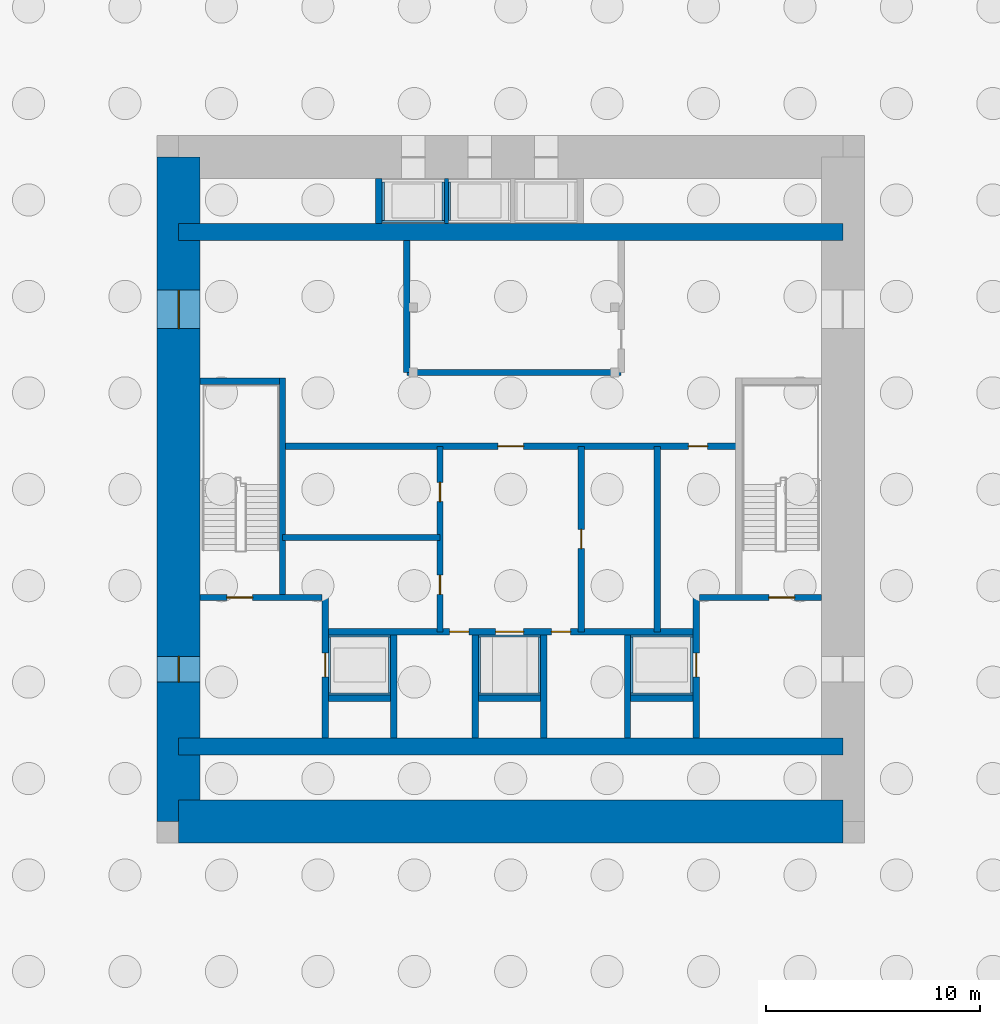
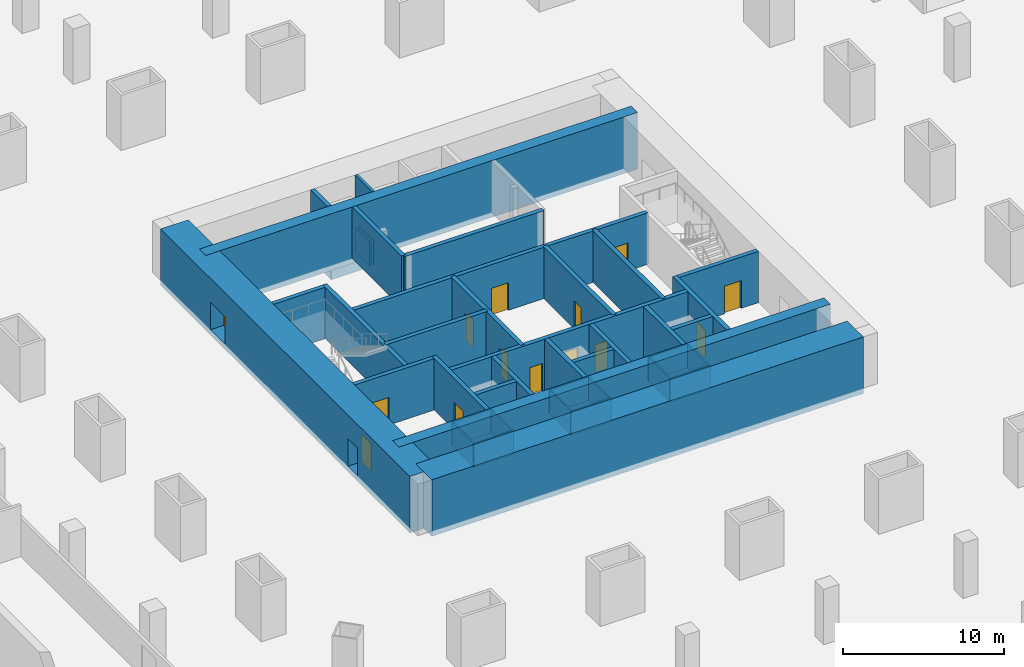
# One storey, part 4 of 11: 43 walls, 14 doors, 14 openings.
"""IFC4 building model written with IfcOpenShell, lengths in metres."""

from ifc_helpers import new_model, si_unit, direction, frame, frame_2d, origin, place, context, subcontext, project, spatial, rectangle, extrude, material, layer, layer_set, type_object, element, fill, save


model = new_model("IFC4")

# Units and contexts
model_context = context("Model", 3, precision=1e-05, world=origin(), true_north=direction((0.0, 1.0)))
body_context = subcontext(model_context, "Body", "Model", "MODEL_VIEW")
ifc_project = project(units=[si_unit("LENGTHUNIT", "METRE"), si_unit("AREAUNIT", "SQUARE_METRE"), si_unit("VOLUMEUNIT", "CUBIC_METRE"), si_unit("PLANEANGLEUNIT", "RADIAN"), si_unit("MASSUNIT", "GRAM", prefix="KILO")], contexts=[model_context])

# Site, building, storey
site_placement = place(None, origin())
site = spatial("IfcSite", under=ifc_project, at=site_placement, CompositionType="ELEMENT")
building_placement = place(site_placement, origin())
building = spatial("IfcBuilding", under=site, at=building_placement, Name="Khuree Lantern Residences", CompositionType="ELEMENT")
storey_placement = place(building_placement, frame((0.0, 0.0, -13.199951171875)))
storey = spatial("IfcBuildingStorey", under=building, at=storey_placement, Name="B3", CompositionType="ELEMENT", Elevation=-13.199951171875)

# Wall, opening, door
ifc_material_1 = material(Name="Dense concrete blockwork", Category="masonry")
ifc_layer_1 = layer(ifc_material_1, 0.300048828125)
ifc_layer_set_1 = layer_set([ifc_layer_1], Name="CORE PARTITION WALL CPW300 EI 120")
wall_type_1 = type_object("IfcWallType", Name="CORE PARTITION WALL CPW300 EI 120", PredefinedType="PARTITIONING", material=ifc_layer_set_1)
wall_1_placement = place(storey_placement, frame((-8.64990234375, -11.60009765625, 0.0), z_axis=(0.0, 0.0, 1.0), x_axis=(0.0, 1.0, 0.0)))
wall_1 = element("IfcWall", 1, at=wall_1_placement, inside=storey, type_object=wall_type_1, Name="B3 CORE WALL FL1W", PredefinedType="PARTITIONING", context=body_context, shape_type="SweptSolid", body=[
    extrude(rectangle(XDim=6.7001953125, YDim=0.300048828125, at=frame_2d((3.35009765625, 0.0))), origin(), (0.0, 0.0, 1.0), 3.89990234375),
])
opening_1_placement = place(wall_1_placement, frame((2.85009765625, 0.0, 0.0)))
opening_1 = element("IfcOpeningElement", 2, at=opening_1_placement, cuts=wall_1, Name="Opening B3-007", PredefinedType="OPENING", context=body_context, shape_type="SweptSolid", body=[
    extrude(rectangle(XDim=1.10009765625, YDim=2.10009765625, at=frame_2d((0.550048828125, 1.050048828125))), frame((0.0, 0.16015625, 0.0), z_axis=(0.0, -1.0, 0.0), x_axis=(1.0, 0.0, 0.0)), (0.0, 0.0, 1.0), 0.320068359375),
])
ifc_material_2 = material(Name="Stainless steel lift landing door", Category="steel")
door_type_1 = type_object("IfcDoorType", Name="LIFT LANDING DOOR 1100X2100 E 120", OperationType="DOUBLE_DOOR_SLIDING", PredefinedType="DOOR", material=ifc_material_2)
door_1_placement = place(opening_1_placement, origin())
door_1 = element("IfcDoor", 3, at=door_1_placement, inside=storey, type_object=door_type_1, Name="Landing door FL1 B3-007", OperationType="DOUBLE_DOOR_SLIDING", OverallHeight=2.10009765625, OverallWidth=1.10009765625, PredefinedType="DOOR", context=body_context, shape_type="SweptSolid", body=[
    extrude(rectangle(XDim=1.10009765625, YDim=2.10009765625, at=frame_2d((0.550048828125, 1.050048828125))), frame((0.0, 0.02490234375, 0.0), z_axis=(0.0, -1.0, 0.0), x_axis=(1.0, 0.0, 0.0)), (0.0, 0.0, 1.0), 0.050048828125),
])
fill(opening_1, door_1)

wall_2_placement = place(storey_placement, frame((8.64990234375, -11.60009765625, 0.0), z_axis=(0.0, 0.0, 1.0), x_axis=(0.0, 1.0, 0.0)))
wall_2 = element("IfcWall", 4, at=wall_2_placement, inside=storey, type_object=wall_type_1, Name="B3 CORE WALL FL2E", PredefinedType="PARTITIONING", context=body_context, shape_type="SweptSolid", body=[
    extrude(rectangle(XDim=6.7001953125, YDim=0.300048828125, at=frame_2d((3.35009765625, 0.0))), origin(), (0.0, 0.0, 1.0), 3.89990234375),
])
opening_2_placement = place(wall_2_placement, frame((2.85009765625, 0.0, 0.0)))
opening_2 = element("IfcOpeningElement", 5, at=opening_2_placement, cuts=wall_2, Name="Opening B3-008", PredefinedType="OPENING", context=body_context, shape_type="SweptSolid", body=[
    extrude(rectangle(XDim=1.10009765625, YDim=2.10009765625, at=frame_2d((0.550048828125, 1.050048828125))), frame((0.0, 0.16015625, 0.0), z_axis=(0.0, -1.0, 0.0), x_axis=(1.0, 0.0, 0.0)), (0.0, 0.0, 1.0), 0.320068359375),
])
door_2_placement = place(opening_2_placement, origin())
door_2 = element("IfcDoor", 6, at=door_2_placement, inside=storey, type_object=door_type_1, Name="Landing door FL2 B3-008", OperationType="DOUBLE_DOOR_SLIDING", OverallHeight=2.10009765625, OverallWidth=1.10009765625, PredefinedType="DOOR", context=body_context, shape_type="SweptSolid", body=[
    extrude(rectangle(XDim=1.10009765625, YDim=2.10009765625, at=frame_2d((0.550048828125, 1.050048828125))), frame((0.0, 0.02490234375, 0.0), z_axis=(0.0, -1.0, 0.0), x_axis=(1.0, 0.0, 0.0)), (0.0, 0.0, 1.0), 0.050048828125),
])
fill(opening_2, door_2)

# Wall, openings, doors
wall_3_placement = place(storey_placement, frame((-8.5, -6.64990234375, 0.0), z_axis=(0.0, 0.0, 1.0), x_axis=(1.0, 0.0, 0.0)))
wall_3 = element("IfcWall", 7, at=wall_3_placement, inside=storey, type_object=wall_type_1, Name="B3 CORE WALL FLROW", PredefinedType="PARTITIONING", context=body_context, shape_type="SweptSolid", body=[
    extrude(rectangle(XDim=17.0, YDim=0.300048828125, at=frame_2d((8.5, 0.0))), origin(), (0.0, 0.0, 1.0), 3.89990234375),
])
opening_3_placement = place(wall_3_placement, frame((7.800048828125, 0.0, 0.0)))
opening_3 = element("IfcOpeningElement", 8, at=opening_3_placement, cuts=wall_3, Name="Opening B3-012", PredefinedType="OPENING", context=body_context, shape_type="SweptSolid", body=[
    extrude(rectangle(XDim=1.300048828125, YDim=2.39990234375, at=frame_2d((0.64990234375, 1.199951171875))), frame((0.0, 0.16015625, 0.0), z_axis=(0.0, -1.0, 0.0), x_axis=(1.0, 0.0, 0.0)), (0.0, 0.0, 1.0), 0.320068359375),
])
opening_4_placement = place(wall_3_placement, frame((5.64990234375, 0.0, 0.0)))
opening_4 = element("IfcOpeningElement", 9, at=opening_4_placement, cuts=wall_3, Name="Opening B3-014", PredefinedType="OPENING", context=body_context, shape_type="SweptSolid", body=[
    extrude(rectangle(XDim=0.89990234375, YDim=2.10009765625, at=frame_2d((0.449951171875, 1.050048828125))), frame((0.0, 0.16015625, 0.0), z_axis=(0.0, -1.0, 0.0), x_axis=(1.0, 0.0, 0.0)), (0.0, 0.0, 1.0), 0.320068359375),
])
opening_5_placement = place(wall_3_placement, frame((10.39990234375, 0.0, 0.0)))
opening_5 = element("IfcOpeningElement", 10, at=opening_5_placement, cuts=wall_3, Name="Opening B3-015", PredefinedType="OPENING", context=body_context, shape_type="SweptSolid", body=[
    extrude(rectangle(XDim=0.89990234375, YDim=2.10009765625, at=frame_2d((0.449951171875, 1.050048828125))), frame((0.0, 0.16015625, 0.0), z_axis=(0.0, -1.0, 0.0), x_axis=(1.0, 0.0, 0.0)), (0.0, 0.0, 1.0), 0.320068359375),
])
ifc_material_3 = material(Name="Steel door leaf in steel frame", Category="steel")
door_type_2 = type_object("IfcDoorType", Name="DOOR 900X2100 EI 60", OperationType="SINGLE_SWING_LEFT", PredefinedType="DOOR", material=ifc_material_3)
door_3_placement = place(opening_4_placement, origin())
door_3 = element("IfcDoor", 11, at=door_3_placement, inside=storey, type_object=door_type_2, Name="Electrical riser door B3-014", OperationType="SINGLE_SWING_LEFT", OverallHeight=2.10009765625, OverallWidth=0.89990234375, PredefinedType="DOOR", context=body_context, shape_type="SweptSolid", body=[
    extrude(rectangle(XDim=0.89990234375, YDim=2.10009765625, at=frame_2d((0.449951171875, 1.050048828125))), frame((0.0, 0.02490234375, 0.0), z_axis=(0.0, -1.0, 0.0), x_axis=(1.0, 0.0, 0.0)), (0.0, 0.0, 1.0), 0.050048828125),
])
fill(opening_4, door_3)
door_type_3 = type_object("IfcDoorType", Name="DOOR 900X2100 EI 60 RIGHT HAND", OperationType="SINGLE_SWING_RIGHT", PredefinedType="DOOR", material=ifc_material_3)
door_4_placement = place(opening_5_placement, origin())
door_4 = element("IfcDoor", 12, at=door_4_placement, inside=storey, type_object=door_type_3, Name="Plumbing riser door B3-015", OperationType="SINGLE_SWING_RIGHT", OverallHeight=2.10009765625, OverallWidth=0.89990234375, PredefinedType="DOOR", context=body_context, shape_type="SweptSolid", body=[
    extrude(rectangle(XDim=0.89990234375, YDim=2.10009765625, at=frame_2d((0.449951171875, 1.050048828125))), frame((0.0, 0.02490234375, 0.0), z_axis=(0.0, -1.0, 0.0), x_axis=(1.0, 0.0, 0.0)), (0.0, 0.0, 1.0), 0.050048828125),
])
fill(opening_5, door_4)
door_type_4 = type_object("IfcDoorType", Name="LIFT LANDING DOOR 1300X2400 E 60", OperationType="DOUBLE_DOOR_SLIDING", PredefinedType="DOOR", material=ifc_material_2)
door_5_placement = place(opening_3_placement, origin())
door_5 = element("IfcDoor", 13, at=door_5_placement, inside=storey, type_object=door_type_4, Name="Landing door SL1 B3-012", OperationType="DOUBLE_DOOR_SLIDING", OverallHeight=2.39990234375, OverallWidth=1.300048828125, PredefinedType="DOOR", context=body_context, shape_type="SweptSolid", body=[
    extrude(rectangle(XDim=1.300048828125, YDim=2.39990234375, at=frame_2d((0.64990234375, 1.199951171875))), frame((0.0, 0.02490234375, 0.0), z_axis=(0.0, -1.0, 0.0), x_axis=(1.0, 0.0, 0.0)), (0.0, 0.0, 1.0), 0.050048828125),
])
fill(opening_3, door_5)

# Walls
for number, where, z_axis, x_axis, name in (
    (14, (-5.449951171875, -11.60009765625, 0.0), (0.0, 0.0, 1.0), (0.0, 1.0, 0.0), "B3 CORE WALL FL1E"),
    (15, (-1.64990234375, -11.60009765625, 0.0), (0.0, 0.0, 1.0), (0.0, 1.0, 0.0), "B3 CORE WALL SL1W"),
    (16, (1.550048828125, -11.60009765625, 0.0), (0.0, 0.0, 1.0), (0.0, 1.0, 0.0), "B3 CORE WALL SL1E"),
    (17, (5.449951171875, -11.60009765625, 0.0), (0.0, 0.0, 1.0), (0.0, 1.0, 0.0), "B3 CORE WALL FL2W"),
):
    element("IfcWall", number, at=place(storey_placement, frame(where, z_axis=z_axis, x_axis=x_axis)), inside=storey, type_object=wall_type_1, Name=name, PredefinedType="PARTITIONING", context=body_context, shape_type="SweptSolid", body=[
        extrude(rectangle(XDim=4.800048828125, YDim=0.300048828125, at=frame_2d((2.39990234375, 0.0))), origin(), (0.0, 0.0, 1.0), 3.89990234375),
    ])
for number, where, z_axis, x_axis, name in (
    (18, (-8.5, -9.75, 0.0), (0.0, 0.0, 1.0), (1.0, 0.0, 0.0), "B3 CORE WALL FL1S"),
    (19, (-1.5, -9.75, 0.0), (0.0, 0.0, 1.0), (1.0, 0.0, 0.0), "B3 CORE WALL SL1S"),
    (20, (5.60009765625, -9.75, 0.0), (0.0, 0.0, 1.0), (1.0, 0.0, 0.0), "B3 CORE WALL FL2S"),
):
    element("IfcWall", number, at=place(storey_placement, frame(where, z_axis=z_axis, x_axis=x_axis)), inside=storey, type_object=wall_type_1, Name=name, PredefinedType="PARTITIONING", context=body_context, shape_type="SweptSolid", body=[
        extrude(rectangle(XDim=2.89990234375, YDim=0.300048828125, at=frame_2d((1.449951171875, 0.0))), origin(), (0.0, 0.0, 1.0), 3.89990234375),
    ])
wall_4_placement = place(storey_placement, frame((-6.14990234375, 12.39990234375, 0.0), z_axis=(0.0, 0.0, 1.0), x_axis=(0.0, 1.0, 0.0)))
element("IfcWall", 21, at=wall_4_placement, inside=storey, type_object=wall_type_1, Name="B3 CORE WALL PLW", PredefinedType="PARTITIONING", context=body_context, shape_type="SweptSolid", body=[
    extrude(rectangle(XDim=2.10009765625, YDim=0.300048828125, at=frame_2d((1.050048828125, 0.0))), origin(), (0.0, 0.0, 1.0), 3.89990234375),
])

# Wall, openings, doors
wall_5_placement = place(storey_placement, frame((-10.64990234375, 2.0, 0.0), z_axis=(0.0, 0.0, 1.0), x_axis=(1.0, 0.0, 0.0)))
wall_5 = element("IfcWall", 22, at=wall_5_placement, inside=storey, type_object=wall_type_1, Name="B3 CORE WALL LLS", PredefinedType="PARTITIONING", context=body_context, shape_type="SweptSolid", body=[
    extrude(rectangle(XDim=21.2998046875, YDim=0.300048828125, at=frame_2d((10.64990234375, 0.0))), origin(), (0.0, 0.0, 1.0), 3.89990234375),
])
opening_6_placement = place(wall_5_placement, frame((10.050048828125, 0.0, 0.0)))
opening_6 = element("IfcOpeningElement", 23, at=opening_6_placement, cuts=wall_5, Name="Opening B3-013", PredefinedType="OPENING", context=body_context, shape_type="SweptSolid", body=[
    extrude(rectangle(XDim=1.199951171875, YDim=2.10009765625, at=frame_2d((0.60009765625, 1.050048828125))), frame((0.0, 0.16015625, 0.0), z_axis=(0.0, -1.0, 0.0), x_axis=(1.0, 0.0, 0.0)), (0.0, 0.0, 1.0), 0.320068359375),
])
opening_7_placement = place(wall_5_placement, frame((18.94189453125, 0.0, 0.0)))
opening_7 = element("IfcOpeningElement", 24, at=opening_7_placement, cuts=wall_5, Name="Opening B3-019", PredefinedType="OPENING", context=body_context, shape_type="SweptSolid", body=[
    extrude(rectangle(XDim=0.89990234375, YDim=2.10009765625, at=frame_2d((0.449951171875, 1.050048828125))), frame((0.0, 0.16015625, 0.0), z_axis=(0.0, -1.0, 0.0), x_axis=(1.0, 0.0, 0.0)), (0.0, 0.0, 1.0), 0.320068359375),
])
door_type_5 = type_object("IfcDoorType", Name="DOOR 1200X2100 EI 60", OperationType="SINGLE_SWING_LEFT", PredefinedType="DOOR", material=ifc_material_3)
door_6_placement = place(opening_6_placement, origin())
door_6 = element("IfcDoor", 25, at=door_6_placement, inside=storey, type_object=door_type_5, Name="Service lift lobby door B3-013", OperationType="SINGLE_SWING_LEFT", OverallHeight=2.10009765625, OverallWidth=1.199951171875, PredefinedType="DOOR", context=body_context, shape_type="SweptSolid", body=[
    extrude(rectangle(XDim=1.199951171875, YDim=2.10009765625, at=frame_2d((0.60009765625, 1.050048828125))), frame((0.0, 0.02490234375, 0.0), z_axis=(0.0, -1.0, 0.0), x_axis=(1.0, 0.0, 0.0)), (0.0, 0.0, 1.0), 0.050048828125),
])
fill(opening_6, door_6)
ifc_material_4 = material(Name="Timber door leaf in hardwood frame", Category="wood")
door_type_6 = type_object("IfcDoorType", Name="DOOR 900X2100 RIGHT HAND", OperationType="SINGLE_SWING_RIGHT", PredefinedType="DOOR", material=ifc_material_4)
door_7_placement = place(opening_7_placement, origin())
door_7 = element("IfcDoor", 26, at=door_7_placement, inside=storey, type_object=door_type_6, Name="Store door B3-019", OperationType="SINGLE_SWING_RIGHT", OverallHeight=2.10009765625, OverallWidth=0.89990234375, PredefinedType="DOOR", context=body_context, shape_type="SweptSolid", body=[
    extrude(rectangle(XDim=0.89990234375, YDim=2.10009765625, at=frame_2d((0.449951171875, 1.050048828125))), frame((0.0, 0.02490234375, 0.0), z_axis=(0.0, -1.0, 0.0), x_axis=(1.0, 0.0, 0.0)), (0.0, 0.0, 1.0), 0.050048828125),
])
fill(opening_7, door_7)

wall_6_placement = place(storey_placement, frame((-3.300048828125, -6.64990234375, 0.0), z_axis=(0.0, 0.0, 1.0), x_axis=(0.0, 1.0, 0.0)))
wall_6 = element("IfcWall", 27, at=wall_6_placement, inside=storey, type_object=wall_type_1, Name="B3 CORE WALL SVW", PredefinedType="PARTITIONING", context=body_context, shape_type="SweptSolid", body=[
    extrude(rectangle(XDim=8.64990234375, YDim=0.300048828125, at=frame_2d((4.324951171875, 0.0))), origin(), (0.0, 0.0, 1.0), 3.89990234375),
])
opening_8_placement = place(wall_6_placement, frame((1.75, 0.0, 0.0)))
opening_8 = element("IfcOpeningElement", 28, at=opening_8_placement, cuts=wall_6, Name="Opening B3-016", PredefinedType="OPENING", context=body_context, shape_type="SweptSolid", body=[
    extrude(rectangle(XDim=0.89990234375, YDim=2.10009765625, at=frame_2d((0.449951171875, 1.050048828125))), frame((0.0, 0.16015625, 0.0), z_axis=(0.0, -1.0, 0.0), x_axis=(1.0, 0.0, 0.0)), (0.0, 0.0, 1.0), 0.320068359375),
])
opening_9_placement = place(wall_6_placement, frame((6.074951171875, 0.0, 0.0)))
opening_9 = element("IfcOpeningElement", 29, at=opening_9_placement, cuts=wall_6, Name="Opening B3-017", PredefinedType="OPENING", context=body_context, shape_type="SweptSolid", body=[
    extrude(rectangle(XDim=0.89990234375, YDim=2.10009765625, at=frame_2d((0.449951171875, 1.050048828125))), frame((0.0, 0.16015625, 0.0), z_axis=(0.0, -1.0, 0.0), x_axis=(1.0, 0.0, 0.0)), (0.0, 0.0, 1.0), 0.320068359375),
])
door_type_7 = type_object("IfcDoorType", Name="DOOR 900X2100", OperationType="SINGLE_SWING_LEFT", PredefinedType="DOOR", material=ifc_material_4)
door_8_placement = place(opening_8_placement, origin())
door_8 = element("IfcDoor", 30, at=door_8_placement, inside=storey, type_object=door_type_7, Name="Store door B3-016", OperationType="SINGLE_SWING_LEFT", OverallHeight=2.10009765625, OverallWidth=0.89990234375, PredefinedType="DOOR", context=body_context, shape_type="SweptSolid", body=[
    extrude(rectangle(XDim=0.89990234375, YDim=2.10009765625, at=frame_2d((0.449951171875, 1.050048828125))), frame((0.0, 0.02490234375, 0.0), z_axis=(0.0, -1.0, 0.0), x_axis=(1.0, 0.0, 0.0)), (0.0, 0.0, 1.0), 0.050048828125),
])
fill(opening_8, door_8)
door_9_placement = place(opening_9_placement, origin())
door_9 = element("IfcDoor", 31, at=door_9_placement, inside=storey, type_object=door_type_7, Name="Store door B3-017", OperationType="SINGLE_SWING_LEFT", OverallHeight=2.10009765625, OverallWidth=0.89990234375, PredefinedType="DOOR", context=body_context, shape_type="SweptSolid", body=[
    extrude(rectangle(XDim=0.89990234375, YDim=2.10009765625, at=frame_2d((0.449951171875, 1.050048828125))), frame((0.0, 0.02490234375, 0.0), z_axis=(0.0, -1.0, 0.0), x_axis=(1.0, 0.0, 0.0)), (0.0, 0.0, 1.0), 0.050048828125),
])
fill(opening_9, door_9)

# Wall, opening, door
wall_7_placement = place(storey_placement, frame((3.300048828125, -6.64990234375, 0.0), z_axis=(0.0, 0.0, 1.0), x_axis=(0.0, 1.0, 0.0)))
wall_7 = element("IfcWall", 32, at=wall_7_placement, inside=storey, type_object=wall_type_1, Name="B3 CORE WALL SVE", PredefinedType="PARTITIONING", context=body_context, shape_type="SweptSolid", body=[
    extrude(rectangle(XDim=8.64990234375, YDim=0.300048828125, at=frame_2d((4.324951171875, 0.0))), origin(), (0.0, 0.0, 1.0), 3.89990234375),
])
opening_10_placement = place(wall_7_placement, frame((3.875, 0.0, 0.0)))
opening_10 = element("IfcOpeningElement", 33, at=opening_10_placement, cuts=wall_7, Name="Opening B3-018", PredefinedType="OPENING", context=body_context, shape_type="SweptSolid", body=[
    extrude(rectangle(XDim=0.89990234375, YDim=2.10009765625, at=frame_2d((0.449951171875, 1.050048828125))), frame((0.0, 0.16015625, 0.0), z_axis=(0.0, -1.0, 0.0), x_axis=(1.0, 0.0, 0.0)), (0.0, 0.0, 1.0), 0.320068359375),
])
door_10_placement = place(opening_10_placement, origin())
door_10 = element("IfcDoor", 34, at=door_10_placement, inside=storey, type_object=door_type_7, Name="Store door B3-018", OperationType="SINGLE_SWING_LEFT", OverallHeight=2.10009765625, OverallWidth=0.89990234375, PredefinedType="DOOR", context=body_context, shape_type="SweptSolid", body=[
    extrude(rectangle(XDim=0.89990234375, YDim=2.10009765625, at=frame_2d((0.449951171875, 1.050048828125))), frame((0.0, 0.02490234375, 0.0), z_axis=(0.0, -1.0, 0.0), x_axis=(1.0, 0.0, 0.0)), (0.0, 0.0, 1.0), 0.050048828125),
])
fill(opening_10, door_10)

# Walls
wall_8_placement = place(storey_placement, frame((-10.64990234375, -2.25, 0.0), z_axis=(0.0, 0.0, 1.0), x_axis=(1.0, 0.0, 0.0)))
element("IfcWall", 35, at=wall_8_placement, inside=storey, type_object=wall_type_1, Name="B3 CORE WALL WX", PredefinedType="PARTITIONING", context=body_context, shape_type="SweptSolid", body=[
    extrude(rectangle(XDim=7.349853515625, YDim=0.300048828125, at=frame_2d((3.6748046875, 0.0))), origin(), (0.0, 0.0, 1.0), 3.89990234375),
])
wall_9_placement = place(storey_placement, frame((6.833984375, -6.64990234375, 0.0), z_axis=(0.0, 0.0, 1.0), x_axis=(0.0, 1.0, 0.0)))
element("IfcWall", 36, at=wall_9_placement, inside=storey, type_object=wall_type_1, Name="B3 CORE WALL EV", PredefinedType="PARTITIONING", context=body_context, shape_type="SweptSolid", body=[
    extrude(rectangle(XDim=8.64990234375, YDim=0.300048828125, at=frame_2d((4.324951171875, 0.0))), origin(), (0.0, 0.0, 1.0), 3.89990234375),
])
wall_10_placement = place(storey_placement, frame((-4.85009765625, 5.449951171875, 0.0), z_axis=(0.0, 0.0, 1.0), x_axis=(1.0, 0.0, 0.0)))
element("IfcWall", 37, at=wall_10_placement, inside=storey, type_object=wall_type_1, Name="B3 CORE WALL LLN", PredefinedType="PARTITIONING", context=body_context, shape_type="SweptSolid", body=[
    extrude(rectangle(XDim=10.0, YDim=0.300048828125, at=frame_2d((5.0, 0.0))), origin(), (0.0, 0.0, 1.0), 3.89990234375),
])
wall_11_placement = place(storey_placement, frame((-4.85009765625, 5.449951171875, 0.0), z_axis=(0.0, 0.0, 1.0), x_axis=(0.0, 1.0, 0.0)))
element("IfcWall", 38, at=wall_11_placement, inside=storey, type_object=wall_type_1, Name="B3 CORE WALL NW", PredefinedType="PARTITIONING", context=body_context, shape_type="SweptSolid", body=[
    extrude(rectangle(XDim=6.150146484375, YDim=0.300048828125, at=frame_2d((3.0751953125, 0.0))), origin(), (0.0, 0.0, 1.0), 3.89990234375),
])
ifc_material_5 = material(Name="Concrete C70/85", Category="concrete")
ifc_layer_2 = layer(ifc_material_5, 2.0)
ifc_layer_set_2 = layer_set([ifc_layer_2], Name="CW2000-C70 CORE WALL C70 2000")
wall_type_2 = type_object("IfcWallType", Name="CW2000-C70 CORE WALL C70 2000", PredefinedType="SHEAR", material=ifc_layer_set_2)
wall_12_placement = place(storey_placement, frame((-15.5, -15.5, -0.400146484375), z_axis=(0.0, 0.0, 1.0), x_axis=(1.0, 0.0, 0.0)))
element("IfcWall", 39, at=wall_12_placement, inside=storey, type_object=wall_type_2, Name="Core wall S", PredefinedType="SHEAR", context=body_context, shape_type="SweptSolid", body=[
    extrude(rectangle(XDim=31.0, YDim=2.0, at=frame_2d((15.5, 0.0))), origin(), (0.0, 0.0, 1.0), 4.300048828125),
])

# Wall, openings, doors
wall_13_placement = place(storey_placement, frame((-15.5, -15.5, -0.400146484375), z_axis=(0.0, 0.0, 1.0), x_axis=(0.0, 1.0, 0.0)))
wall_13 = element("IfcWall", 40, at=wall_13_placement, inside=storey, type_object=wall_type_2, Name="Core wall W", PredefinedType="SHEAR", context=body_context, shape_type="SweptSolid", body=[
    extrude(rectangle(XDim=31.0, YDim=2.0, at=frame_2d((15.5, 0.0))), origin(), (0.0, 0.0, 1.0), 4.300048828125),
])
opening_11_placement = place(wall_13_placement, frame((6.5, 0.0, 0.39990234375)))
opening_11 = element("IfcOpeningElement", 41, at=opening_11_placement, cuts=wall_13, Name="Opening B3-002", PredefinedType="OPENING", context=body_context, shape_type="SweptSolid", body=[
    extrude(rectangle(XDim=1.199951171875, YDim=2.10009765625, at=frame_2d((0.60009765625, 1.050048828125))), frame((0.0, 1.010009765625, 0.0), z_axis=(0.0, -1.0, 0.0), x_axis=(1.0, 0.0, 0.0)), (0.0, 0.0, 1.0), 2.02001953125),
])
opening_12_placement = place(wall_13_placement, frame((23.0, 0.0, 0.39990234375)))
opening_12 = element("IfcOpeningElement", 42, at=opening_12_placement, cuts=wall_13, Name="Opening B3-003", PredefinedType="OPENING", context=body_context, shape_type="SweptSolid", body=[
    extrude(rectangle(XDim=1.800048828125, YDim=2.10009765625, at=frame_2d((0.89990234375, 1.050048828125))), frame((0.0, 1.010009765625, 0.0), z_axis=(0.0, -1.0, 0.0), x_axis=(1.0, 0.0, 0.0)), (0.0, 0.0, 1.0), 2.02001953125),
])
door_type_8 = type_object("IfcDoorType", Name="LOBBY DOOR 1200X2100 EI 120", OperationType="SINGLE_SWING_LEFT", PredefinedType="DOOR", material=ifc_material_3)
door_11_placement = place(opening_11_placement, origin())
door_11 = element("IfcDoor", 43, at=door_11_placement, inside=storey, type_object=door_type_8, Name="Firefighting lobby door B3-002", OperationType="SINGLE_SWING_LEFT", OverallHeight=2.10009765625, OverallWidth=1.199951171875, PredefinedType="DOOR", context=body_context, shape_type="SweptSolid", body=[
    extrude(rectangle(XDim=1.199951171875, YDim=2.10009765625, at=frame_2d((0.60009765625, 1.050048828125))), frame((0.0, 0.02490234375, 0.0), z_axis=(0.0, -1.0, 0.0), x_axis=(1.0, 0.0, 0.0)), (0.0, 0.0, 1.0), 0.050048828125),
])
fill(opening_11, door_11)
door_type_9 = type_object("IfcDoorType", Name="LOBBY DOUBLE DOOR 1800X2100 EI 60", OperationType="DOUBLE_DOOR_SINGLE_SWING", PredefinedType="DOOR", material=ifc_material_3)
door_12_placement = place(opening_12_placement, origin())
door_12 = element("IfcDoor", 44, at=door_12_placement, inside=storey, type_object=door_type_9, Name="Lift lobby door B3-003", OperationType="DOUBLE_DOOR_SINGLE_SWING", OverallHeight=2.10009765625, OverallWidth=1.800048828125, PredefinedType="DOOR", context=body_context, shape_type="SweptSolid", body=[
    extrude(rectangle(XDim=1.800048828125, YDim=2.10009765625, at=frame_2d((0.89990234375, 1.050048828125))), frame((0.0, 0.02490234375, 0.0), z_axis=(0.0, -1.0, 0.0), x_axis=(1.0, 0.0, 0.0)), (0.0, 0.0, 1.0), 0.050048828125),
])
fill(opening_12, door_12)

# Walls
ifc_material_6 = material(Name="Concrete C40/50", Category="concrete")
ifc_layer_3 = layer(ifc_material_6, 0.10009765625)
ifc_layer_set_3 = layer_set([ifc_layer_3], Name="LIFT PIT WALL PW1 100")
wall_type_3 = type_object("IfcWallType", Name="LIFT PIT WALL PW1 100", PredefinedType="SOLIDWALL", material=ifc_layer_set_3)
for number, where, z_axis, x_axis, name in (
    (45, (-8.5, -9.550048828125, -1.800048828125), (0.0, 0.0, 1.0), (1.0, 0.0, 0.0), "Lift FL1 pit wall"),
    (46, (-5.60009765625, -6.85009765625, -1.800048828125), (0.0, 0.0, 1.0), (-1.0, 0.0, 0.0), "Lift FL1 pit wall"),
):
    element("IfcWall", number, at=place(storey_placement, frame(where, z_axis=z_axis, x_axis=x_axis)), inside=storey, type_object=wall_type_3, Name=name, PredefinedType="SOLIDWALL", context=body_context, shape_type="SweptSolid", body=[
        extrude(rectangle(XDim=2.89990234375, YDim=0.10009765625, at=frame_2d((1.449951171875, 0.0))), origin(), (0.0, 0.0, 1.0), 1.800048828125),
    ])
for number, where, z_axis, x_axis, name in (
    (47, (-8.449951171875, -6.89990234375, -1.800048828125), (0.0, 0.0, 1.0), (0.0, -1.0, 0.0), "Lift FL1 pit wall"),
    (48, (-5.64990234375, -9.5, -1.800048828125), (0.0, 0.0, 1.0), (0.0, 1.0, 0.0), "Lift FL1 pit wall"),
):
    element("IfcWall", number, at=place(storey_placement, frame(where, z_axis=z_axis, x_axis=x_axis)), inside=storey, type_object=wall_type_3, Name=name, PredefinedType="SOLIDWALL", context=body_context, shape_type="SweptSolid", body=[
        extrude(rectangle(XDim=2.60009765625, YDim=0.10009765625, at=frame_2d((1.300048828125, 0.0))), origin(), (0.0, 0.0, 1.0), 1.800048828125),
    ])
for number, where, z_axis, x_axis, name in (
    (49, (5.60009765625, -9.550048828125, -1.800048828125), (0.0, 0.0, 1.0), (1.0, 0.0, 0.0), "Lift FL2 pit wall"),
    (50, (8.5, -6.85009765625, -1.800048828125), (0.0, 0.0, 1.0), (-1.0, 0.0, 0.0), "Lift FL2 pit wall"),
):
    element("IfcWall", number, at=place(storey_placement, frame(where, z_axis=z_axis, x_axis=x_axis)), inside=storey, type_object=wall_type_3, Name=name, PredefinedType="SOLIDWALL", context=body_context, shape_type="SweptSolid", body=[
        extrude(rectangle(XDim=2.89990234375, YDim=0.10009765625, at=frame_2d((1.449951171875, 0.0))), origin(), (0.0, 0.0, 1.0), 1.800048828125),
    ])
for number, where, z_axis, x_axis, name in (
    (51, (5.64990234375, -6.89990234375, -1.800048828125), (0.0, 0.0, 1.0), (0.0, -1.0, 0.0), "Lift FL2 pit wall"),
    (52, (8.449951171875, -9.5, -1.800048828125), (0.0, 0.0, 1.0), (0.0, 1.0, 0.0), "Lift FL2 pit wall"),
):
    element("IfcWall", number, at=place(storey_placement, frame(where, z_axis=z_axis, x_axis=x_axis)), inside=storey, type_object=wall_type_3, Name=name, PredefinedType="SOLIDWALL", context=body_context, shape_type="SweptSolid", body=[
        extrude(rectangle(XDim=2.60009765625, YDim=0.10009765625, at=frame_2d((1.300048828125, 0.0))), origin(), (0.0, 0.0, 1.0), 1.800048828125),
    ])
wall_14_placement = place(storey_placement, frame((-6.0, 12.5, -1.800048828125), z_axis=(0.0, 0.0, 1.0), x_axis=(1.0, 0.0, 0.0)))
element("IfcWall", 53, at=wall_14_placement, inside=storey, type_object=wall_type_3, Name="Lift PL1 pit wall", PredefinedType="SOLIDWALL", context=body_context, shape_type="SweptSolid", body=[
    extrude(rectangle(XDim=2.89990234375, YDim=0.10009765625, at=frame_2d((1.449951171875, 0.0))), origin(), (0.0, 0.0, 1.0), 1.800048828125),
])
for number, where, z_axis, x_axis, name in (
    (54, (-5.949951171875, 14.35009765625, -1.800048828125), (0.0, 0.0, 1.0), (0.0, -1.0, 0.0), "Lift PL1 pit wall"),
    (55, (-3.14990234375, 12.550048828125, -1.800048828125), (0.0, 0.0, 1.0), (0.0, 1.0, 0.0), "Lift PL1 pit wall"),
    (56, (-2.85009765625, 14.35009765625, -1.800048828125), (0.0, 0.0, 1.0), (0.0, -1.0, 0.0), "Lift PL2 pit wall"),
):
    element("IfcWall", number, at=place(storey_placement, frame(where, z_axis=z_axis, x_axis=x_axis)), inside=storey, type_object=wall_type_3, Name=name, PredefinedType="SOLIDWALL", context=body_context, shape_type="SweptSolid", body=[
        extrude(rectangle(XDim=1.800048828125, YDim=0.10009765625, at=frame_2d((0.89990234375, 0.0))), origin(), (0.0, 0.0, 1.0), 1.800048828125),
    ])
for number, where, z_axis, x_axis, name in (
    (57, (-1.5, -9.550048828125, -1.800048828125), (0.0, 0.0, 1.0), (1.0, 0.0, 0.0), "Lift SL1 pit wall"),
    (58, (1.39990234375, -6.85009765625, -1.800048828125), (0.0, 0.0, 1.0), (-1.0, 0.0, 0.0), "Lift SL1 pit wall"),
):
    element("IfcWall", number, at=place(storey_placement, frame(where, z_axis=z_axis, x_axis=x_axis)), inside=storey, type_object=wall_type_3, Name=name, PredefinedType="SOLIDWALL", context=body_context, shape_type="SweptSolid", body=[
        extrude(rectangle(XDim=2.89990234375, YDim=0.10009765625, at=frame_2d((1.449951171875, 0.0))), origin(), (0.0, 0.0, 1.0), 1.800048828125),
    ])
for number, where, z_axis, x_axis, name in (
    (59, (-1.449951171875, -6.89990234375, -1.800048828125), (0.0, 0.0, 1.0), (0.0, -1.0, 0.0), "Lift SL1 pit wall"),
    (60, (1.35009765625, -9.5, -1.800048828125), (0.0, 0.0, 1.0), (0.0, 1.0, 0.0), "Lift SL1 pit wall"),
):
    element("IfcWall", number, at=place(storey_placement, frame(where, z_axis=z_axis, x_axis=x_axis)), inside=storey, type_object=wall_type_3, Name=name, PredefinedType="SOLIDWALL", context=body_context, shape_type="SweptSolid", body=[
        extrude(rectangle(XDim=2.60009765625, YDim=0.10009765625, at=frame_2d((1.300048828125, 0.0))), origin(), (0.0, 0.0, 1.0), 1.800048828125),
    ])
ifc_layer_4 = layer(ifc_material_1, 0.199951171875)
ifc_layer_set_4 = layer_set([ifc_layer_4], Name="SHAFT WALL SHW200 EI 120")
wall_type_4 = type_object("IfcWallType", Name="SHAFT WALL SHW200 EI 120", PredefinedType="PARTITIONING", material=ifc_layer_set_4)
wall_15_placement = place(storey_placement, frame((-3.0, 12.39990234375, 0.0), z_axis=(0.0, 0.0, 1.0), x_axis=(0.0, 1.0, 0.0)))
element("IfcWall", 61, at=wall_15_placement, inside=storey, type_object=wall_type_4, Name="B3 CORE WALL PLD1", PredefinedType="PARTITIONING", context=body_context, shape_type="SweptSolid", body=[
    extrude(rectangle(XDim=2.10009765625, YDim=0.199951171875, at=frame_2d((1.050048828125, 0.0))), origin(), (0.0, 0.0, 1.0), 3.89990234375),
])
ifc_layer_5 = layer(ifc_material_5, 0.800048828125)
ifc_layer_set_5 = layer_set([ifc_layer_5], Name="SP800-C70 CORE SPINE WALL C70 800")
wall_type_5 = type_object("IfcWallType", Name="SP800-C70 CORE SPINE WALL C70 800", PredefinedType="SHEAR", material=ifc_layer_set_5)
for number, where, z_axis, x_axis, name in (
    (62, (-15.5, 12.0, -0.400146484375), (0.0, 0.0, 1.0), (1.0, 0.0, 0.0), "Core wall SPN"),
    (63, (-15.5, -12.0, -0.400146484375), (0.0, 0.0, 1.0), (1.0, 0.0, 0.0), "Core wall SPS"),
):
    element("IfcWall", number, at=place(storey_placement, frame(where, z_axis=z_axis, x_axis=x_axis)), inside=storey, type_object=wall_type_5, Name=name, PredefinedType="SHEAR", context=body_context, shape_type="SweptSolid", body=[
        extrude(rectangle(XDim=31.0, YDim=0.800048828125, at=frame_2d((15.5, 0.0))), origin(), (0.0, 0.0, 1.0), 4.300048828125),
    ])
ifc_material_7 = material(Name="Concrete C50/60", Category="concrete")
ifc_layer_6 = layer(ifc_material_7, 0.300048828125)
ifc_layer_set_6 = layer_set([ifc_layer_6], Name="STAIR WALL SRW300 C50/60 REI 240")
wall_type_6 = type_object("IfcWallType", Name="STAIR WALL SRW300 C50/60 REI 240", PredefinedType="SOLIDWALL", material=ifc_layer_set_6)
wall_16_placement = place(storey_placement, frame((-10.64990234375, -4.89990234375, 0.0), z_axis=(0.0, 0.0, 1.0), x_axis=(0.0, 1.0, 0.0)))
element("IfcWall", 64, at=wall_16_placement, inside=storey, type_object=wall_type_6, Name="B3 STAIR WALL ST1E", PredefinedType="SOLIDWALL", context=body_context, shape_type="SweptSolid", body=[
    extrude(rectangle(XDim=10.099853515625, YDim=0.300048828125, at=frame_2d((5.0498046875, 0.0))), origin(), (0.0, 0.0, 1.0), 3.89990234375),
])

# Wall, opening, door
wall_17_placement = place(storey_placement, frame((-14.5, -5.050048828125, 0.0), z_axis=(0.0, 0.0, 1.0), x_axis=(1.0, 0.0, 0.0)))
wall_17 = element("IfcWall", 65, at=wall_17_placement, inside=storey, type_object=wall_type_6, Name="B3 STAIR WALL ST1S", PredefinedType="SOLIDWALL", context=body_context, shape_type="SweptSolid", body=[
    extrude(rectangle(XDim=5.699951171875, YDim=0.300048828125, at=frame_2d((2.85009765625, 0.0))), origin(), (0.0, 0.0, 1.0), 3.89990234375),
])
opening_13_placement = place(wall_17_placement, frame((1.25, 0.0, 0.0)))
opening_13 = element("IfcOpeningElement", 66, at=opening_13_placement, cuts=wall_17, Name="Opening B3-001", PredefinedType="OPENING", context=body_context, shape_type="SweptSolid", body=[
    extrude(rectangle(XDim=1.199951171875, YDim=2.10009765625, at=frame_2d((0.60009765625, 1.050048828125))), frame((0.0, 0.16015625, 0.0), z_axis=(0.0, -1.0, 0.0), x_axis=(1.0, 0.0, 0.0)), (0.0, 0.0, 1.0), 0.320068359375),
])
door_type_10 = type_object("IfcDoorType", Name="STAIR DOOR 1200X2100 EI 120", OperationType="SINGLE_SWING_LEFT", PredefinedType="DOOR", material=ifc_material_3)
door_13_placement = place(opening_13_placement, origin())
door_13 = element("IfcDoor", 67, at=door_13_placement, inside=storey, type_object=door_type_10, Name="Stair ST1 door B3-001", OperationType="SINGLE_SWING_LEFT", OverallHeight=2.10009765625, OverallWidth=1.199951171875, PredefinedType="DOOR", context=body_context, shape_type="SweptSolid", body=[
    extrude(rectangle(XDim=1.199951171875, YDim=2.10009765625, at=frame_2d((0.60009765625, 1.050048828125))), frame((0.0, 0.02490234375, 0.0), z_axis=(0.0, -1.0, 0.0), x_axis=(1.0, 0.0, 0.0)), (0.0, 0.0, 1.0), 0.050048828125),
])
fill(opening_13, door_13)

# Wall
wall_18_placement = place(storey_placement, frame((-14.5, 5.050048828125, 0.0), z_axis=(0.0, 0.0, 1.0), x_axis=(1.0, 0.0, 0.0)))
element("IfcWall", 68, at=wall_18_placement, inside=storey, type_object=wall_type_6, Name="B3 STAIR WALL ST1N", PredefinedType="SOLIDWALL", context=body_context, shape_type="SweptSolid", body=[
    extrude(rectangle(XDim=3.699951171875, YDim=0.300048828125, at=frame_2d((1.85009765625, 0.0))), origin(), (0.0, 0.0, 1.0), 3.89990234375),
])

# Wall, opening, door
wall_19_placement = place(storey_placement, frame((14.5, -5.050048828125, 0.0), z_axis=(0.0, 0.0, 1.0), x_axis=(-1.0, 0.0, 0.0)))
wall_19 = element("IfcWall", 69, at=wall_19_placement, inside=storey, type_object=wall_type_6, Name="B3 STAIR WALL ST2S", PredefinedType="SOLIDWALL", context=body_context, shape_type="SweptSolid", body=[
    extrude(rectangle(XDim=5.699951171875, YDim=0.300048828125, at=frame_2d((2.85009765625, 0.0))), origin(), (0.0, 0.0, 1.0), 3.89990234375),
])
opening_14_placement = place(wall_19_placement, frame((1.25, 0.0, 0.0)))
opening_14 = element("IfcOpeningElement", 70, at=opening_14_placement, cuts=wall_19, Name="Opening B3-004", PredefinedType="OPENING", context=body_context, shape_type="SweptSolid", body=[
    extrude(rectangle(XDim=1.199951171875, YDim=2.10009765625, at=frame_2d((0.60009765625, 1.050048828125))), frame((0.0, 0.16015625, 0.0), z_axis=(0.0, -1.0, 0.0), x_axis=(1.0, 0.0, 0.0)), (0.0, 0.0, 1.0), 0.320068359375),
])
door_14_placement = place(opening_14_placement, origin())
door_14 = element("IfcDoor", 71, at=door_14_placement, inside=storey, type_object=door_type_10, Name="Stair ST2 door B3-004", OperationType="SINGLE_SWING_LEFT", OverallHeight=2.10009765625, OverallWidth=1.199951171875, PredefinedType="DOOR", context=body_context, shape_type="SweptSolid", body=[
    extrude(rectangle(XDim=1.199951171875, YDim=2.10009765625, at=frame_2d((0.60009765625, 1.050048828125))), frame((0.0, 0.02490234375, 0.0), z_axis=(0.0, -1.0, 0.0), x_axis=(1.0, 0.0, 0.0)), (0.0, 0.0, 1.0), 0.050048828125),
])
fill(opening_14, door_14)

save(model, "model.ifc")
